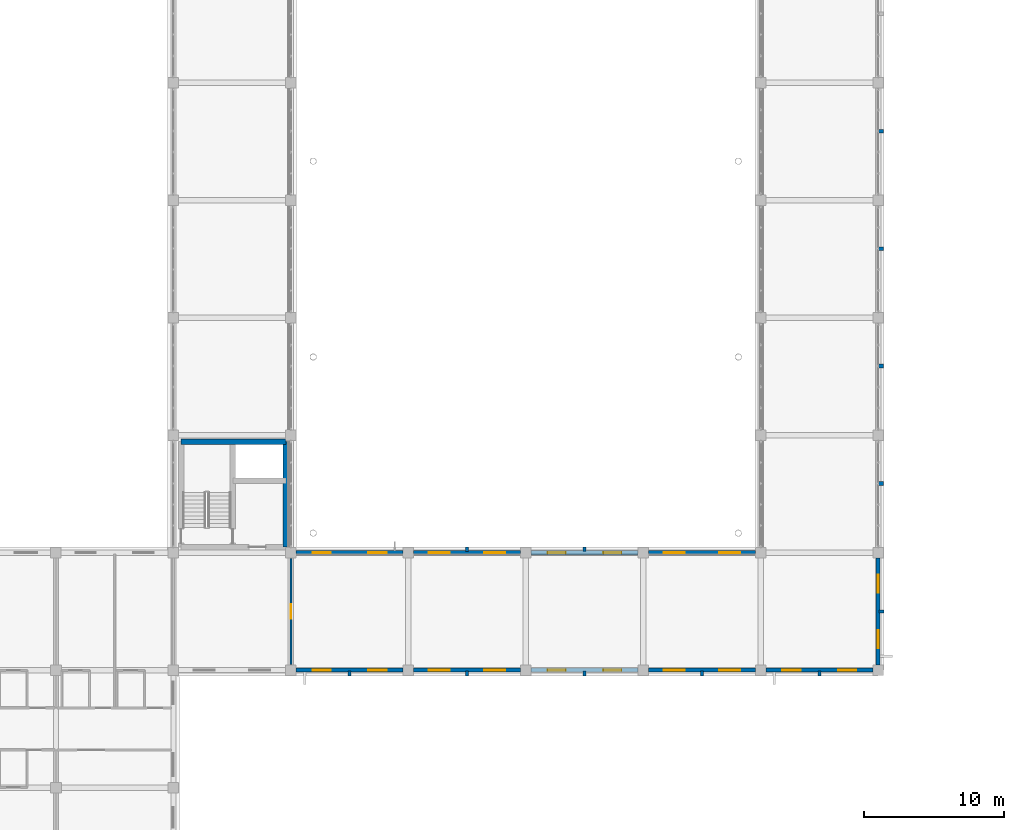
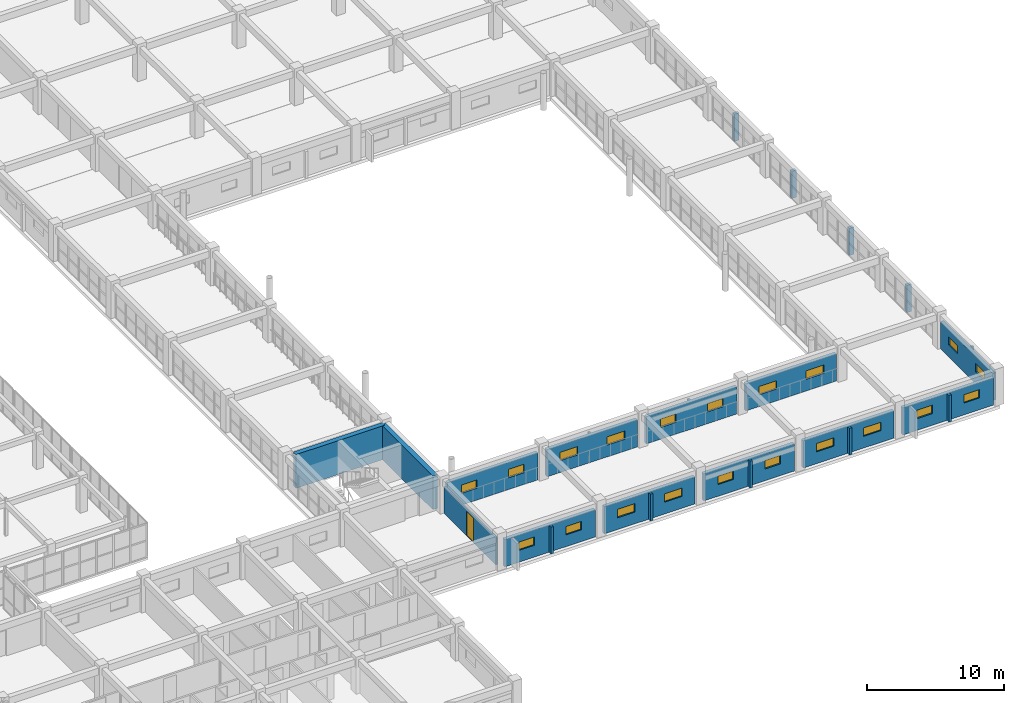
# One storey, part 182 of 200: 25 walls, 20 windows, 1 door, 21 openings.
"""IFC4 building model written with IfcOpenShell, lengths in metres."""

from ifc_helpers import new_model, si_unit, direction, frame, frame_2d, origin, place, context, subcontext, project, spatial, rectangle, extrude, material, layer, layer_set, type_object, element, fill, save


model = new_model("IFC4")

# Units and contexts
model_context = context("Model", 3, precision=1e-05, world=origin(), true_north=direction((0.0, 1.0)))
body_context = subcontext(model_context, "Body", "Model", "MODEL_VIEW")
ifc_project = project(units=[si_unit("LENGTHUNIT", "METRE"), si_unit("AREAUNIT", "SQUARE_METRE"), si_unit("VOLUMEUNIT", "CUBIC_METRE"), si_unit("PLANEANGLEUNIT", "RADIAN"), si_unit("MASSUNIT", "GRAM", prefix="KILO")], contexts=[model_context])

# Site, building, storey
site_placement = place(None, origin())
site = spatial("IfcSite", under=ifc_project, at=site_placement, CompositionType="ELEMENT")
building_placement = place(site_placement, origin())
building = spatial("IfcBuilding", under=site, at=building_placement, Name="Trelvath General Hospital", CompositionType="ELEMENT")
storey_placement = place(building_placement, frame((0.0, 0.0, 4.800048828125)))
storey = spatial("IfcBuildingStorey", under=building, at=storey_placement, Name="L01", CompositionType="ELEMENT", Elevation=4.800048828125)

# Walls
ifc_material_1 = material(Name="Precast concrete C40/50", Category="concrete")
ifc_layer_1 = layer(ifc_material_1, 0.199951171875)
ifc_layer_set_1 = layer_set([ifc_layer_1], Name="Precast concrete C40/50")
wall_type_1 = type_object("IfcWallType", Name="BriseSoleilRib 200", PredefinedType="ELEMENTEDWALL", material=ifc_layer_set_1)
for number, where, z_axis, x_axis, name in (
    (1, (147.0, 16.72509765625, 0.0), (0.0, 0.0, 1.0), (0.0, -1.0, 0.0), "Precast Concrete Brise-Soleil Rib Fin L01-133"),
    (2, (155.39990234375, 16.72509765625, 0.0), (0.0, 0.0, 1.0), (0.0, -1.0, 0.0), "Precast Concrete Brise-Soleil Rib Fin L01-135"),
    (3, (155.39990234375, 25.27490234375, 0.0), (0.0, 0.0, 1.0), (0.0, 1.0, 0.0), "Precast Concrete Brise-Soleil Rib Fin L01-136"),
    (4, (163.800048828125, 16.72509765625, 0.0), (0.0, 0.0, 1.0), (0.0, -1.0, 0.0), "Precast Concrete Brise-Soleil Rib Fin L01-139"),
    (5, (163.800048828125, 25.27490234375, 0.0), (0.0, 0.0, 1.0), (0.0, 1.0, 0.0), "Precast Concrete Brise-Soleil Rib Fin L01-140"),
    (6, (172.199951171875, 16.72509765625, 0.0), (0.0, 0.0, 1.0), (0.0, -1.0, 0.0), "Precast Concrete Brise-Soleil Rib Fin L01-143"),
    (7, (180.60009765625, 16.72509765625, 0.0), (0.0, 0.0, 1.0), (0.0, -1.0, 0.0), "Precast Concrete Brise-Soleil Rib Fin L01-145"),
    (8, (184.875, 21.0, 0.0), (0.0, 0.0, 1.0), (1.0, 0.0, 0.0), "Precast Concrete Brise-Soleil Rib Fin L01-146"),
):
    element("IfcWall", number, at=place(storey_placement, frame(where, z_axis=z_axis, x_axis=x_axis)), inside=storey, type_object=wall_type_1, Name=name, PredefinedType="ELEMENTEDWALL", context=body_context, shape_type="SweptSolid", body=[
        extrude(rectangle(XDim=0.340087890625, YDim=0.199951171875, at=frame_2d((0.169921875, 0.0))), origin(), (0.0, 0.0, 1.0), 2.39990234375),
    ])

# Wall, opening, door
ifc_material_2 = material(Name="Gypsum acoustic steel-stud partition", Category="steel")
ifc_layer_2 = layer(ifc_material_2, 0.14990234375)
ifc_layer_set_2 = layer_set([ifc_layer_2], Name="Gypsum acoustic steel-stud partition")
wall_type_2 = type_object("IfcWallType", Name="ClinicalPartition 150", PredefinedType="PARTITIONING", material=ifc_layer_set_2)
wall_1_placement = place(storey_placement, frame((142.800048828125, 17.199951171875, 0.0), z_axis=(0.0, 0.0, 1.0), x_axis=(0.0, 1.0, 0.0)))
wall_1 = element("IfcWall", 9, at=wall_1_placement, inside=storey, type_object=wall_type_2, Name="Comm Health L01 Partition L01-669", PredefinedType="PARTITIONING", context=body_context, shape_type="SweptSolid", body=[
    extrude(rectangle(XDim=7.60009765625, YDim=0.14990234375, at=frame_2d((3.800048828125, 0.0))), origin(), (0.0, 0.0, 1.0), 2.39990234375),
])
opening_1_placement = place(wall_1_placement, frame((3.27490234375, 0.0, 0.0)))
opening_1 = element("IfcOpeningElement", 10, at=opening_1_placement, cuts=wall_1, Name="Opening D-1-0619", PredefinedType="OPENING", context=body_context, shape_type="SweptSolid", body=[
    extrude(rectangle(XDim=1.050048828125, YDim=2.199951171875, at=frame_2d((0.52490234375, 1.10009765625))), frame((0.0, 0.0849609375, 0.0), z_axis=(0.0, -1.0, 0.0), x_axis=(1.0, 0.0, 0.0)), (0.0, 0.0, 1.0), 0.169921875),
])
ifc_material_3 = material(Name="Acoustic hospital timber leaf", Category="wood")
door_type = type_object("IfcDoorType", Name="Door Consult 1050x2200", OperationType="NOTDEFINED", PredefinedType="DOOR", material=ifc_material_3)
door_placement = place(opening_1_placement, origin())
door = element("IfcDoor", 11, at=door_placement, inside=storey, type_object=door_type, Name="Comm Health L01 Door L01-619", OperationType="SINGLE_SWING_LEFT", OverallHeight=2.199951171875, OverallWidth=1.050048828125, PredefinedType="DOOR", context=body_context, shape_type="SweptSolid", body=[
    extrude(rectangle(XDim=1.050048828125, YDim=2.199951171875, at=frame_2d((0.52490234375, 1.10009765625))), frame((0.0, 0.02490234375, 0.0), z_axis=(0.0, -1.0, 0.0), x_axis=(1.0, 0.0, 0.0)), (0.0, 0.0, 1.0), 0.050048828125),
])
fill(opening_1, door)

# Walls
ifc_material_4 = material(Name="Concrete C40/50", Category="concrete")
ifc_layer_3 = layer(ifc_material_4, 0.39990234375)
ifc_layer_set_3 = layer_set([ifc_layer_3], Name="Concrete C40/50")
wall_type_3 = type_object("IfcWallType", Name="CoreShearWall 400", PredefinedType="SHEAR", material=ifc_layer_set_3)
wall_2_placement = place(storey_placement, frame((134.949951171875, 33.14990234375, 0.0), z_axis=(0.0, 0.0, 1.0), x_axis=(1.0, 0.0, 0.0)))
element("IfcWall", 12, at=wall_2_placement, inside=storey, type_object=wall_type_3, Name="Core Shear Wall C7 N L01", PredefinedType="SHEAR", context=body_context, shape_type="SweptSolid", body=[
    extrude(rectangle(XDim=7.5, YDim=0.39990234375, at=frame_2d((3.75, 0.0))), origin(), (0.0, 0.0, 1.0), 3.02001953125),
])
wall_3_placement = place(storey_placement, frame((142.449951171875, 25.60009765625, 0.0), z_axis=(0.0, 0.0, 1.0), x_axis=(0.0, 1.0, 0.0)))
element("IfcWall", 13, at=wall_3_placement, inside=storey, type_object=wall_type_3, Name="Core Shear Wall C7 E L01", PredefinedType="SHEAR", context=body_context, shape_type="SweptSolid", body=[
    extrude(rectangle(XDim=7.5498046875, YDim=0.39990234375, at=frame_2d((3.77490234375, 0.0))), origin(), (0.0, 0.0, 1.0), 3.02001953125),
])

# Wall, openings, windows
ifc_material_5 = material(Name="Concrete C35/45", Category="concrete")
ifc_layer_4 = layer(ifc_material_5, 0.2900390625)
ifc_layer_set_4 = layer_set([ifc_layer_4], Name="Concrete C35/45")
wall_type_4 = type_object("IfcWallType", Name="ExtBushHammeredWall 290", PredefinedType="SOLIDWALL", material=ifc_layer_set_4)
wall_4_placement = place(storey_placement, frame((150.830078125, 16.800048828125, 0.0), z_axis=(0.0, 0.0, 1.0), x_axis=(-1.0, 0.0, 0.0)))
wall_4 = element("IfcWall", 14, at=wall_4_placement, inside=storey, type_object=wall_type_4, Name="Exterior Concrete Wall L01-195", PredefinedType="SOLIDWALL", context=body_context, shape_type="SweptSolid", body=[
    extrude(rectangle(XDim=7.66015625, YDim=0.2900390625, at=frame_2d((3.830078125, 0.0))), origin(), (0.0, 0.0, 1.0), 2.419921875),
])
opening_2_placement = place(wall_4_placement, frame((1.1884765625, 0.0, 1.050048828125)))
opening_2 = element("IfcOpeningElement", 15, at=opening_2_placement, cuts=wall_4, Name="Opening WN-1-291", PredefinedType="OPENING", context=body_context, shape_type="SweptSolid", body=[
    extrude(rectangle(XDim=1.300048828125, YDim=0.75, at=frame_2d((0.64990234375, 0.375))), frame((0.0, 0.155029296875, 0.0), z_axis=(0.0, -1.0, 0.0), x_axis=(1.0, 0.0, 0.0)), (0.0, 0.0, 1.0), 0.31005859375),
])
opening_3_placement = place(wall_4_placement, frame((5.171630859375, 0.0, 1.050048828125)))
opening_3 = element("IfcOpeningElement", 16, at=opening_3_placement, cuts=wall_4, Name="Opening WN-1-292", PredefinedType="OPENING", context=body_context, shape_type="SweptSolid", body=[
    extrude(rectangle(XDim=1.300048828125, YDim=0.75, at=frame_2d((0.64990234375, 0.375))), frame((0.0, 0.155029296875, 0.0), z_axis=(0.0, -1.0, 0.0), x_axis=(1.0, 0.0, 0.0)), (0.0, 0.0, 1.0), 0.31005859375),
])
ifc_material_6 = material(Name="Low-E laminated glass", Category="glass")
window_type_1 = type_object("IfcWindowType", Name="Window InterstitialVent 1300x750", PartitioningType="DOUBLE_PANEL_HORIZONTAL", PredefinedType="WINDOW", material=ifc_material_6)
window_1_placement = place(opening_2_placement, origin())
window_1 = element("IfcWindow", 17, at=window_1_placement, inside=storey, type_object=window_type_1, Name="Solar Reveal Window L01-291", OverallHeight=0.75, OverallWidth=1.300048828125, PartitioningType="SINGLE_PANEL", PredefinedType="WINDOW", context=body_context, shape_type="SweptSolid", body=[
    extrude(rectangle(XDim=1.300048828125, YDim=0.75, at=frame_2d((0.64990234375, 0.375))), frame((0.0, 0.030029296875, 0.0), z_axis=(0.0, -1.0, 0.0), x_axis=(1.0, 0.0, 0.0)), (0.0, 0.0, 1.0), 0.06005859375),
])
fill(opening_2, window_1)
window_2_placement = place(opening_3_placement, origin())
window_2 = element("IfcWindow", 18, at=window_2_placement, inside=storey, type_object=window_type_1, Name="Solar Reveal Window L01-292", OverallHeight=0.75, OverallWidth=1.300048828125, PartitioningType="SINGLE_PANEL", PredefinedType="WINDOW", context=body_context, shape_type="SweptSolid", body=[
    extrude(rectangle(XDim=1.300048828125, YDim=0.75, at=frame_2d((0.64990234375, 0.375))), frame((0.0, 0.030029296875, 0.0), z_axis=(0.0, -1.0, 0.0), x_axis=(1.0, 0.0, 0.0)), (0.0, 0.0, 1.0), 0.06005859375),
])
fill(opening_3, window_2)

wall_5_placement = place(storey_placement, frame((143.169921875, 25.199951171875, 0.0), z_axis=(0.0, 0.0, 1.0), x_axis=(1.0, 0.0, 0.0)))
wall_5 = element("IfcWall", 19, at=wall_5_placement, inside=storey, type_object=wall_type_4, Name="Exterior Concrete Wall L01-196", PredefinedType="SOLIDWALL", context=body_context, shape_type="SweptSolid", body=[
    extrude(rectangle(XDim=7.66015625, YDim=0.2900390625, at=frame_2d((3.830078125, 0.0))), origin(), (0.0, 0.0, 1.0), 2.419921875),
])
opening_4_placement = place(wall_5_placement, frame((1.1884765625, 0.0, 1.050048828125)))
opening_4 = element("IfcOpeningElement", 20, at=opening_4_placement, cuts=wall_5, Name="Opening WN-1-293", PredefinedType="OPENING", context=body_context, shape_type="SweptSolid", body=[
    extrude(rectangle(XDim=1.300048828125, YDim=0.75, at=frame_2d((0.64990234375, 0.375))), frame((0.0, 0.155029296875, 0.0), z_axis=(0.0, -1.0, 0.0), x_axis=(1.0, 0.0, 0.0)), (0.0, 0.0, 1.0), 0.31005859375),
])
opening_5_placement = place(wall_5_placement, frame((5.171630859375, 0.0, 1.050048828125)))
opening_5 = element("IfcOpeningElement", 21, at=opening_5_placement, cuts=wall_5, Name="Opening WN-1-294", PredefinedType="OPENING", context=body_context, shape_type="SweptSolid", body=[
    extrude(rectangle(XDim=1.300048828125, YDim=0.75, at=frame_2d((0.64990234375, 0.375))), frame((0.0, 0.155029296875, 0.0), z_axis=(0.0, -1.0, 0.0), x_axis=(1.0, 0.0, 0.0)), (0.0, 0.0, 1.0), 0.31005859375),
])
window_3_placement = place(opening_4_placement, origin())
window_3 = element("IfcWindow", 22, at=window_3_placement, inside=storey, type_object=window_type_1, Name="Solar Reveal Window L01-293", OverallHeight=0.75, OverallWidth=1.300048828125, PartitioningType="SINGLE_PANEL", PredefinedType="WINDOW", context=body_context, shape_type="SweptSolid", body=[
    extrude(rectangle(XDim=1.300048828125, YDim=0.75, at=frame_2d((0.64990234375, 0.375))), frame((0.0, 0.030029296875, 0.0), z_axis=(0.0, -1.0, 0.0), x_axis=(1.0, 0.0, 0.0)), (0.0, 0.0, 1.0), 0.06005859375),
])
fill(opening_4, window_3)
window_4_placement = place(opening_5_placement, origin())
window_4 = element("IfcWindow", 23, at=window_4_placement, inside=storey, type_object=window_type_1, Name="Solar Reveal Window L01-294", OverallHeight=0.75, OverallWidth=1.300048828125, PartitioningType="SINGLE_PANEL", PredefinedType="WINDOW", context=body_context, shape_type="SweptSolid", body=[
    extrude(rectangle(XDim=1.300048828125, YDim=0.75, at=frame_2d((0.64990234375, 0.375))), frame((0.0, 0.030029296875, 0.0), z_axis=(0.0, -1.0, 0.0), x_axis=(1.0, 0.0, 0.0)), (0.0, 0.0, 1.0), 0.06005859375),
])
fill(opening_5, window_4)

wall_6_placement = place(storey_placement, frame((159.22998046875, 16.800048828125, 0.0), z_axis=(0.0, 0.0, 1.0), x_axis=(-1.0, 0.0, 0.0)))
wall_6 = element("IfcWall", 24, at=wall_6_placement, inside=storey, type_object=wall_type_4, Name="Exterior Concrete Wall L01-199", PredefinedType="SOLIDWALL", context=body_context, shape_type="SweptSolid", body=[
    extrude(rectangle(XDim=7.659912109375, YDim=0.2900390625, at=frame_2d((3.830078125, 0.0))), origin(), (0.0, 0.0, 1.0), 2.419921875),
])
opening_6_placement = place(wall_6_placement, frame((1.08837890625, 0.0, 1.050048828125)))
opening_6 = element("IfcOpeningElement", 25, at=opening_6_placement, cuts=wall_6, Name="Opening WN-1-299", PredefinedType="OPENING", context=body_context, shape_type="SweptSolid", body=[
    extrude(rectangle(XDim=1.5, YDim=0.75, at=frame_2d((0.75, 0.375))), frame((0.0, 0.155029296875, 0.0), z_axis=(0.0, -1.0, 0.0), x_axis=(1.0, 0.0, 0.0)), (0.0, 0.0, 1.0), 0.31005859375),
])
opening_7_placement = place(wall_6_placement, frame((5.071533203125, 0.0, 1.050048828125)))
opening_7 = element("IfcOpeningElement", 26, at=opening_7_placement, cuts=wall_6, Name="Opening WN-1-300", PredefinedType="OPENING", context=body_context, shape_type="SweptSolid", body=[
    extrude(rectangle(XDim=1.5, YDim=0.75, at=frame_2d((0.75, 0.375))), frame((0.0, 0.155029296875, 0.0), z_axis=(0.0, -1.0, 0.0), x_axis=(1.0, 0.0, 0.0)), (0.0, 0.0, 1.0), 0.31005859375),
])
ifc_material_7 = material(Name="Low-E laminated glass", Category="glass")
window_type_2 = type_object("IfcWindowType", Name="Window InterstitialVent 1500x750", PartitioningType="DOUBLE_PANEL_HORIZONTAL", PredefinedType="WINDOW", material=ifc_material_7)
window_5_placement = place(opening_6_placement, origin())
window_5 = element("IfcWindow", 27, at=window_5_placement, inside=storey, type_object=window_type_2, Name="Solar Reveal Window L01-299", OverallHeight=0.75, OverallWidth=1.5, PartitioningType="SINGLE_PANEL", PredefinedType="WINDOW", context=body_context, shape_type="SweptSolid", body=[
    extrude(rectangle(XDim=1.5, YDim=0.75, at=frame_2d((0.75, 0.375))), frame((0.0, 0.030029296875, 0.0), z_axis=(0.0, -1.0, 0.0), x_axis=(1.0, 0.0, 0.0)), (0.0, 0.0, 1.0), 0.06005859375),
])
fill(opening_6, window_5)
window_6_placement = place(opening_7_placement, origin())
window_6 = element("IfcWindow", 28, at=window_6_placement, inside=storey, type_object=window_type_2, Name="Solar Reveal Window L01-300", OverallHeight=0.75, OverallWidth=1.5, PartitioningType="SINGLE_PANEL", PredefinedType="WINDOW", context=body_context, shape_type="SweptSolid", body=[
    extrude(rectangle(XDim=1.5, YDim=0.75, at=frame_2d((0.75, 0.375))), frame((0.0, 0.030029296875, 0.0), z_axis=(0.0, -1.0, 0.0), x_axis=(1.0, 0.0, 0.0)), (0.0, 0.0, 1.0), 0.06005859375),
])
fill(opening_7, window_6)

wall_7_placement = place(storey_placement, frame((151.570068359375, 25.199951171875, 0.0), z_axis=(0.0, 0.0, 1.0), x_axis=(1.0, 0.0, 0.0)))
wall_7 = element("IfcWall", 29, at=wall_7_placement, inside=storey, type_object=wall_type_4, Name="Exterior Concrete Wall L01-200", PredefinedType="SOLIDWALL", context=body_context, shape_type="SweptSolid", body=[
    extrude(rectangle(XDim=7.659912109375, YDim=0.2900390625, at=frame_2d((3.830078125, 0.0))), origin(), (0.0, 0.0, 1.0), 2.419921875),
])
opening_8_placement = place(wall_7_placement, frame((1.08837890625, 0.0, 1.050048828125)))
opening_8 = element("IfcOpeningElement", 30, at=opening_8_placement, cuts=wall_7, Name="Opening WN-1-301", PredefinedType="OPENING", context=body_context, shape_type="SweptSolid", body=[
    extrude(rectangle(XDim=1.5, YDim=0.75, at=frame_2d((0.75, 0.375))), frame((0.0, 0.155029296875, 0.0), z_axis=(0.0, -1.0, 0.0), x_axis=(1.0, 0.0, 0.0)), (0.0, 0.0, 1.0), 0.31005859375),
])
opening_9_placement = place(wall_7_placement, frame((5.071533203125, 0.0, 1.050048828125)))
opening_9 = element("IfcOpeningElement", 31, at=opening_9_placement, cuts=wall_7, Name="Opening WN-1-302", PredefinedType="OPENING", context=body_context, shape_type="SweptSolid", body=[
    extrude(rectangle(XDim=1.5, YDim=0.75, at=frame_2d((0.75, 0.375))), frame((0.0, 0.155029296875, 0.0), z_axis=(0.0, -1.0, 0.0), x_axis=(1.0, 0.0, 0.0)), (0.0, 0.0, 1.0), 0.31005859375),
])
window_7_placement = place(opening_8_placement, origin())
window_7 = element("IfcWindow", 32, at=window_7_placement, inside=storey, type_object=window_type_2, Name="Solar Reveal Window L01-301", OverallHeight=0.75, OverallWidth=1.5, PartitioningType="SINGLE_PANEL", PredefinedType="WINDOW", context=body_context, shape_type="SweptSolid", body=[
    extrude(rectangle(XDim=1.5, YDim=0.75, at=frame_2d((0.75, 0.375))), frame((0.0, 0.030029296875, 0.0), z_axis=(0.0, -1.0, 0.0), x_axis=(1.0, 0.0, 0.0)), (0.0, 0.0, 1.0), 0.06005859375),
])
fill(opening_8, window_7)
window_8_placement = place(opening_9_placement, origin())
window_8 = element("IfcWindow", 33, at=window_8_placement, inside=storey, type_object=window_type_2, Name="Solar Reveal Window L01-302", OverallHeight=0.75, OverallWidth=1.5, PartitioningType="SINGLE_PANEL", PredefinedType="WINDOW", context=body_context, shape_type="SweptSolid", body=[
    extrude(rectangle(XDim=1.5, YDim=0.75, at=frame_2d((0.75, 0.375))), frame((0.0, 0.030029296875, 0.0), z_axis=(0.0, -1.0, 0.0), x_axis=(1.0, 0.0, 0.0)), (0.0, 0.0, 1.0), 0.06005859375),
])
fill(opening_9, window_8)

wall_8_placement = place(storey_placement, frame((167.6298828125, 16.800048828125, 0.0), z_axis=(0.0, 0.0, 1.0), x_axis=(-1.0, 0.0, 0.0)))
wall_8 = element("IfcWall", 34, at=wall_8_placement, inside=storey, type_object=wall_type_4, Name="Exterior Concrete Wall L01-203", PredefinedType="SOLIDWALL", context=body_context, shape_type="SweptSolid", body=[
    extrude(rectangle(XDim=7.659912109375, YDim=0.2900390625, at=frame_2d((3.830078125, 0.0))), origin(), (0.0, 0.0, 1.0), 2.419921875),
])
opening_10_placement = place(wall_8_placement, frame((1.1884765625, 0.0, 1.050048828125)))
opening_10 = element("IfcOpeningElement", 35, at=opening_10_placement, cuts=wall_8, Name="Opening WN-1-307", PredefinedType="OPENING", context=body_context, shape_type="SweptSolid", body=[
    extrude(rectangle(XDim=1.300048828125, YDim=0.75, at=frame_2d((0.64990234375, 0.375))), frame((0.0, 0.155029296875, 0.0), z_axis=(0.0, -1.0, 0.0), x_axis=(1.0, 0.0, 0.0)), (0.0, 0.0, 1.0), 0.31005859375),
])
opening_11_placement = place(wall_8_placement, frame((5.171630859375, 0.0, 1.050048828125)))
opening_11 = element("IfcOpeningElement", 36, at=opening_11_placement, cuts=wall_8, Name="Opening WN-1-308", PredefinedType="OPENING", context=body_context, shape_type="SweptSolid", body=[
    extrude(rectangle(XDim=1.300048828125, YDim=0.75, at=frame_2d((0.64990234375, 0.375))), frame((0.0, 0.155029296875, 0.0), z_axis=(0.0, -1.0, 0.0), x_axis=(1.0, 0.0, 0.0)), (0.0, 0.0, 1.0), 0.31005859375),
])
window_9_placement = place(opening_10_placement, origin())
window_9 = element("IfcWindow", 37, at=window_9_placement, inside=storey, type_object=window_type_1, Name="Solar Reveal Window L01-307", OverallHeight=0.75, OverallWidth=1.300048828125, PartitioningType="SINGLE_PANEL", PredefinedType="WINDOW", context=body_context, shape_type="SweptSolid", body=[
    extrude(rectangle(XDim=1.300048828125, YDim=0.75, at=frame_2d((0.64990234375, 0.375))), frame((0.0, 0.030029296875, 0.0), z_axis=(0.0, -1.0, 0.0), x_axis=(1.0, 0.0, 0.0)), (0.0, 0.0, 1.0), 0.06005859375),
])
fill(opening_10, window_9)
window_10_placement = place(opening_11_placement, origin())
window_10 = element("IfcWindow", 38, at=window_10_placement, inside=storey, type_object=window_type_1, Name="Solar Reveal Window L01-308", OverallHeight=0.75, OverallWidth=1.300048828125, PartitioningType="SINGLE_PANEL", PredefinedType="WINDOW", context=body_context, shape_type="SweptSolid", body=[
    extrude(rectangle(XDim=1.300048828125, YDim=0.75, at=frame_2d((0.64990234375, 0.375))), frame((0.0, 0.030029296875, 0.0), z_axis=(0.0, -1.0, 0.0), x_axis=(1.0, 0.0, 0.0)), (0.0, 0.0, 1.0), 0.06005859375),
])
fill(opening_11, window_10)

wall_9_placement = place(storey_placement, frame((159.969970703125, 25.199951171875, 0.0), z_axis=(0.0, 0.0, 1.0), x_axis=(1.0, 0.0, 0.0)))
wall_9 = element("IfcWall", 39, at=wall_9_placement, inside=storey, type_object=wall_type_4, Name="Exterior Concrete Wall L01-204", PredefinedType="SOLIDWALL", context=body_context, shape_type="SweptSolid", body=[
    extrude(rectangle(XDim=7.659912109375, YDim=0.2900390625, at=frame_2d((3.830078125, 0.0))), origin(), (0.0, 0.0, 1.0), 2.419921875),
])
opening_12_placement = place(wall_9_placement, frame((1.1884765625, 0.0, 1.050048828125)))
opening_12 = element("IfcOpeningElement", 40, at=opening_12_placement, cuts=wall_9, Name="Opening WN-1-309", PredefinedType="OPENING", context=body_context, shape_type="SweptSolid", body=[
    extrude(rectangle(XDim=1.300048828125, YDim=0.75, at=frame_2d((0.64990234375, 0.375))), frame((0.0, 0.155029296875, 0.0), z_axis=(0.0, -1.0, 0.0), x_axis=(1.0, 0.0, 0.0)), (0.0, 0.0, 1.0), 0.31005859375),
])
opening_13_placement = place(wall_9_placement, frame((5.171630859375, 0.0, 1.050048828125)))
opening_13 = element("IfcOpeningElement", 41, at=opening_13_placement, cuts=wall_9, Name="Opening WN-1-310", PredefinedType="OPENING", context=body_context, shape_type="SweptSolid", body=[
    extrude(rectangle(XDim=1.300048828125, YDim=0.75, at=frame_2d((0.64990234375, 0.375))), frame((0.0, 0.155029296875, 0.0), z_axis=(0.0, -1.0, 0.0), x_axis=(1.0, 0.0, 0.0)), (0.0, 0.0, 1.0), 0.31005859375),
])
window_11_placement = place(opening_12_placement, origin())
window_11 = element("IfcWindow", 42, at=window_11_placement, inside=storey, type_object=window_type_1, Name="Solar Reveal Window L01-309", OverallHeight=0.75, OverallWidth=1.300048828125, PartitioningType="SINGLE_PANEL", PredefinedType="WINDOW", context=body_context, shape_type="SweptSolid", body=[
    extrude(rectangle(XDim=1.300048828125, YDim=0.75, at=frame_2d((0.64990234375, 0.375))), frame((0.0, 0.030029296875, 0.0), z_axis=(0.0, -1.0, 0.0), x_axis=(1.0, 0.0, 0.0)), (0.0, 0.0, 1.0), 0.06005859375),
])
fill(opening_12, window_11)
window_12_placement = place(opening_13_placement, origin())
window_12 = element("IfcWindow", 43, at=window_12_placement, inside=storey, type_object=window_type_1, Name="Solar Reveal Window L01-310", OverallHeight=0.75, OverallWidth=1.300048828125, PartitioningType="SINGLE_PANEL", PredefinedType="WINDOW", context=body_context, shape_type="SweptSolid", body=[
    extrude(rectangle(XDim=1.300048828125, YDim=0.75, at=frame_2d((0.64990234375, 0.375))), frame((0.0, 0.030029296875, 0.0), z_axis=(0.0, -1.0, 0.0), x_axis=(1.0, 0.0, 0.0)), (0.0, 0.0, 1.0), 0.06005859375),
])
fill(opening_13, window_12)

wall_10_placement = place(storey_placement, frame((176.030029296875, 16.800048828125, 0.0), z_axis=(0.0, 0.0, 1.0), x_axis=(-1.0, 0.0, 0.0)))
wall_10 = element("IfcWall", 44, at=wall_10_placement, inside=storey, type_object=wall_type_4, Name="Exterior Concrete Wall L01-207", PredefinedType="SOLIDWALL", context=body_context, shape_type="SweptSolid", body=[
    extrude(rectangle(XDim=7.659912109375, YDim=0.2900390625, at=frame_2d((3.830078125, 0.0))), origin(), (0.0, 0.0, 1.0), 2.419921875),
])
opening_14_placement = place(wall_10_placement, frame((1.08837890625, 0.0, 1.050048828125)))
opening_14 = element("IfcOpeningElement", 45, at=opening_14_placement, cuts=wall_10, Name="Opening WN-1-315", PredefinedType="OPENING", context=body_context, shape_type="SweptSolid", body=[
    extrude(rectangle(XDim=1.5, YDim=0.75, at=frame_2d((0.75, 0.375))), frame((0.0, 0.155029296875, 0.0), z_axis=(0.0, -1.0, 0.0), x_axis=(1.0, 0.0, 0.0)), (0.0, 0.0, 1.0), 0.31005859375),
])
opening_15_placement = place(wall_10_placement, frame((5.071533203125, 0.0, 1.050048828125)))
opening_15 = element("IfcOpeningElement", 46, at=opening_15_placement, cuts=wall_10, Name="Opening WN-1-316", PredefinedType="OPENING", context=body_context, shape_type="SweptSolid", body=[
    extrude(rectangle(XDim=1.5, YDim=0.75, at=frame_2d((0.75, 0.375))), frame((0.0, 0.155029296875, 0.0), z_axis=(0.0, -1.0, 0.0), x_axis=(1.0, 0.0, 0.0)), (0.0, 0.0, 1.0), 0.31005859375),
])
window_13_placement = place(opening_14_placement, origin())
window_13 = element("IfcWindow", 47, at=window_13_placement, inside=storey, type_object=window_type_2, Name="Solar Reveal Window L01-315", OverallHeight=0.75, OverallWidth=1.5, PartitioningType="SINGLE_PANEL", PredefinedType="WINDOW", context=body_context, shape_type="SweptSolid", body=[
    extrude(rectangle(XDim=1.5, YDim=0.75, at=frame_2d((0.75, 0.375))), frame((0.0, 0.030029296875, 0.0), z_axis=(0.0, -1.0, 0.0), x_axis=(1.0, 0.0, 0.0)), (0.0, 0.0, 1.0), 0.06005859375),
])
fill(opening_14, window_13)
window_14_placement = place(opening_15_placement, origin())
window_14 = element("IfcWindow", 48, at=window_14_placement, inside=storey, type_object=window_type_2, Name="Solar Reveal Window L01-316", OverallHeight=0.75, OverallWidth=1.5, PartitioningType="SINGLE_PANEL", PredefinedType="WINDOW", context=body_context, shape_type="SweptSolid", body=[
    extrude(rectangle(XDim=1.5, YDim=0.75, at=frame_2d((0.75, 0.375))), frame((0.0, 0.030029296875, 0.0), z_axis=(0.0, -1.0, 0.0), x_axis=(1.0, 0.0, 0.0)), (0.0, 0.0, 1.0), 0.06005859375),
])
fill(opening_15, window_14)

wall_11_placement = place(storey_placement, frame((168.3701171875, 25.199951171875, 0.0), z_axis=(0.0, 0.0, 1.0), x_axis=(1.0, 0.0, 0.0)))
wall_11 = element("IfcWall", 49, at=wall_11_placement, inside=storey, type_object=wall_type_4, Name="Exterior Concrete Wall L01-208", PredefinedType="SOLIDWALL", context=body_context, shape_type="SweptSolid", body=[
    extrude(rectangle(XDim=7.659912109375, YDim=0.2900390625, at=frame_2d((3.830078125, 0.0))), origin(), (0.0, 0.0, 1.0), 2.419921875),
])
opening_16_placement = place(wall_11_placement, frame((1.08837890625, 0.0, 1.050048828125)))
opening_16 = element("IfcOpeningElement", 50, at=opening_16_placement, cuts=wall_11, Name="Opening WN-1-317", PredefinedType="OPENING", context=body_context, shape_type="SweptSolid", body=[
    extrude(rectangle(XDim=1.5, YDim=0.75, at=frame_2d((0.75, 0.375))), frame((0.0, 0.155029296875, 0.0), z_axis=(0.0, -1.0, 0.0), x_axis=(1.0, 0.0, 0.0)), (0.0, 0.0, 1.0), 0.31005859375),
])
opening_17_placement = place(wall_11_placement, frame((5.071533203125, 0.0, 1.050048828125)))
opening_17 = element("IfcOpeningElement", 51, at=opening_17_placement, cuts=wall_11, Name="Opening WN-1-318", PredefinedType="OPENING", context=body_context, shape_type="SweptSolid", body=[
    extrude(rectangle(XDim=1.5, YDim=0.75, at=frame_2d((0.75, 0.375))), frame((0.0, 0.155029296875, 0.0), z_axis=(0.0, -1.0, 0.0), x_axis=(1.0, 0.0, 0.0)), (0.0, 0.0, 1.0), 0.31005859375),
])
window_15_placement = place(opening_16_placement, origin())
window_15 = element("IfcWindow", 52, at=window_15_placement, inside=storey, type_object=window_type_2, Name="Solar Reveal Window L01-317", OverallHeight=0.75, OverallWidth=1.5, PartitioningType="SINGLE_PANEL", PredefinedType="WINDOW", context=body_context, shape_type="SweptSolid", body=[
    extrude(rectangle(XDim=1.5, YDim=0.75, at=frame_2d((0.75, 0.375))), frame((0.0, 0.030029296875, 0.0), z_axis=(0.0, -1.0, 0.0), x_axis=(1.0, 0.0, 0.0)), (0.0, 0.0, 1.0), 0.06005859375),
])
fill(opening_16, window_15)
window_16_placement = place(opening_17_placement, origin())
window_16 = element("IfcWindow", 53, at=window_16_placement, inside=storey, type_object=window_type_2, Name="Solar Reveal Window L01-318", OverallHeight=0.75, OverallWidth=1.5, PartitioningType="SINGLE_PANEL", PredefinedType="WINDOW", context=body_context, shape_type="SweptSolid", body=[
    extrude(rectangle(XDim=1.5, YDim=0.75, at=frame_2d((0.75, 0.375))), frame((0.0, 0.030029296875, 0.0), z_axis=(0.0, -1.0, 0.0), x_axis=(1.0, 0.0, 0.0)), (0.0, 0.0, 1.0), 0.06005859375),
])
fill(opening_17, window_16)

wall_12_placement = place(storey_placement, frame((184.429931640625, 16.800048828125, 0.0), z_axis=(0.0, 0.0, 1.0), x_axis=(-1.0, 0.0, 0.0)))
wall_12 = element("IfcWall", 54, at=wall_12_placement, inside=storey, type_object=wall_type_4, Name="Exterior Concrete Wall L01-211", PredefinedType="SOLIDWALL", context=body_context, shape_type="SweptSolid", body=[
    extrude(rectangle(XDim=7.659912109375, YDim=0.2900390625, at=frame_2d((3.830078125, 0.0))), origin(), (0.0, 0.0, 1.0), 2.419921875),
])
opening_18_placement = place(wall_12_placement, frame((1.1884765625, 0.0, 1.050048828125)))
opening_18 = element("IfcOpeningElement", 55, at=opening_18_placement, cuts=wall_12, Name="Opening WN-1-323", PredefinedType="OPENING", context=body_context, shape_type="SweptSolid", body=[
    extrude(rectangle(XDim=1.300048828125, YDim=0.75, at=frame_2d((0.64990234375, 0.375))), frame((0.0, 0.155029296875, 0.0), z_axis=(0.0, -1.0, 0.0), x_axis=(1.0, 0.0, 0.0)), (0.0, 0.0, 1.0), 0.31005859375),
])
opening_19_placement = place(wall_12_placement, frame((5.171630859375, 0.0, 1.050048828125)))
opening_19 = element("IfcOpeningElement", 56, at=opening_19_placement, cuts=wall_12, Name="Opening WN-1-324", PredefinedType="OPENING", context=body_context, shape_type="SweptSolid", body=[
    extrude(rectangle(XDim=1.300048828125, YDim=0.75, at=frame_2d((0.64990234375, 0.375))), frame((0.0, 0.155029296875, 0.0), z_axis=(0.0, -1.0, 0.0), x_axis=(1.0, 0.0, 0.0)), (0.0, 0.0, 1.0), 0.31005859375),
])
window_17_placement = place(opening_18_placement, origin())
window_17 = element("IfcWindow", 57, at=window_17_placement, inside=storey, type_object=window_type_1, Name="Solar Reveal Window L01-323", OverallHeight=0.75, OverallWidth=1.300048828125, PartitioningType="SINGLE_PANEL", PredefinedType="WINDOW", context=body_context, shape_type="SweptSolid", body=[
    extrude(rectangle(XDim=1.300048828125, YDim=0.75, at=frame_2d((0.64990234375, 0.375))), frame((0.0, 0.030029296875, 0.0), z_axis=(0.0, -1.0, 0.0), x_axis=(1.0, 0.0, 0.0)), (0.0, 0.0, 1.0), 0.06005859375),
])
fill(opening_18, window_17)
window_18_placement = place(opening_19_placement, origin())
window_18 = element("IfcWindow", 58, at=window_18_placement, inside=storey, type_object=window_type_1, Name="Solar Reveal Window L01-324", OverallHeight=0.75, OverallWidth=1.300048828125, PartitioningType="SINGLE_PANEL", PredefinedType="WINDOW", context=body_context, shape_type="SweptSolid", body=[
    extrude(rectangle(XDim=1.300048828125, YDim=0.75, at=frame_2d((0.64990234375, 0.375))), frame((0.0, 0.030029296875, 0.0), z_axis=(0.0, -1.0, 0.0), x_axis=(1.0, 0.0, 0.0)), (0.0, 0.0, 1.0), 0.06005859375),
])
fill(opening_19, window_18)

wall_13_placement = place(storey_placement, frame((184.800048828125, 24.830078125, 0.0), z_axis=(0.0, 0.0, 1.0), x_axis=(0.0, -1.0, 0.0)))
wall_13 = element("IfcWall", 59, at=wall_13_placement, inside=storey, type_object=wall_type_4, Name="Exterior Concrete Wall L01-212", PredefinedType="SOLIDWALL", context=body_context, shape_type="SweptSolid", body=[
    extrude(rectangle(XDim=7.66015625, YDim=0.2900390625, at=frame_2d((3.830078125, 0.0))), origin(), (0.0, 0.0, 1.0), 2.419921875),
])
opening_20_placement = place(wall_13_placement, frame((1.1884765625, 0.0, 1.050048828125)))
opening_20 = element("IfcOpeningElement", 60, at=opening_20_placement, cuts=wall_13, Name="Opening WN-1-325", PredefinedType="OPENING", context=body_context, shape_type="SweptSolid", body=[
    extrude(rectangle(XDim=1.300048828125, YDim=0.75, at=frame_2d((0.64990234375, 0.375))), frame((0.0, 0.155029296875, 0.0), z_axis=(0.0, -1.0, 0.0), x_axis=(1.0, 0.0, 0.0)), (0.0, 0.0, 1.0), 0.31005859375),
])
opening_21_placement = place(wall_13_placement, frame((5.171630859375, 0.0, 1.050048828125)))
opening_21 = element("IfcOpeningElement", 61, at=opening_21_placement, cuts=wall_13, Name="Opening WN-1-326", PredefinedType="OPENING", context=body_context, shape_type="SweptSolid", body=[
    extrude(rectangle(XDim=1.300048828125, YDim=0.75, at=frame_2d((0.64990234375, 0.375))), frame((0.0, 0.155029296875, 0.0), z_axis=(0.0, -1.0, 0.0), x_axis=(1.0, 0.0, 0.0)), (0.0, 0.0, 1.0), 0.31005859375),
])
window_19_placement = place(opening_20_placement, origin())
window_19 = element("IfcWindow", 62, at=window_19_placement, inside=storey, type_object=window_type_1, Name="Solar Reveal Window L01-325", OverallHeight=0.75, OverallWidth=1.300048828125, PartitioningType="SINGLE_PANEL", PredefinedType="WINDOW", context=body_context, shape_type="SweptSolid", body=[
    extrude(rectangle(XDim=1.300048828125, YDim=0.75, at=frame_2d((0.64990234375, 0.375))), frame((0.0, 0.030029296875, 0.0), z_axis=(0.0, -1.0, 0.0), x_axis=(1.0, 0.0, 0.0)), (0.0, 0.0, 1.0), 0.06005859375),
])
fill(opening_20, window_19)
window_20_placement = place(opening_21_placement, origin())
window_20 = element("IfcWindow", 63, at=window_20_placement, inside=storey, type_object=window_type_1, Name="Solar Reveal Window L01-326", OverallHeight=0.75, OverallWidth=1.300048828125, PartitioningType="SINGLE_PANEL", PredefinedType="WINDOW", context=body_context, shape_type="SweptSolid", body=[
    extrude(rectangle(XDim=1.300048828125, YDim=0.75, at=frame_2d((0.64990234375, 0.375))), frame((0.0, 0.030029296875, 0.0), z_axis=(0.0, -1.0, 0.0), x_axis=(1.0, 0.0, 0.0)), (0.0, 0.0, 1.0), 0.06005859375),
])
fill(opening_21, window_20)

# Walls
ifc_material_8 = material(Name="Precast concrete C40/50", Category="concrete")
ifc_layer_5 = layer(ifc_material_8, 0.260009765625)
ifc_layer_set_5 = layer_set([ifc_layer_5], Name="Precast concrete C40/50")
wall_type_5 = type_object("IfcWallType", Name="StreetArcadeFin 260", PredefinedType="ELEMENTEDWALL", material=ifc_layer_set_5)
for number, where, z_axis, x_axis, name in (
    (64, (184.820068359375, 30.14990234375, 0.0), (0.0, 0.0, 1.0), (1.0, 0.0, 0.0), "Sculpted Concrete Street Arcade Fin L01-147"),
    (65, (184.820068359375, 38.550048828125, 0.0), (0.0, 0.0, 1.0), (1.0, 0.0, 0.0), "Sculpted Concrete Street Arcade Fin L01-148"),
    (66, (184.820068359375, 46.949951171875, 0.0), (0.0, 0.0, 1.0), (1.0, 0.0, 0.0), "Sculpted Concrete Street Arcade Fin L01-149"),
    (67, (184.820068359375, 55.35009765625, 0.0), (0.0, 0.0, 1.0), (1.0, 0.0, 0.0), "Sculpted Concrete Street Arcade Fin L01-150"),
):
    element("IfcWall", number, at=place(storey_placement, frame(where, z_axis=z_axis, x_axis=x_axis)), inside=storey, type_object=wall_type_5, Name=name, PredefinedType="ELEMENTEDWALL", context=body_context, shape_type="SweptSolid", body=[
        extrude(rectangle(XDim=0.3798828125, YDim=0.260009765625, at=frame_2d((0.18994140625, 0.0))), origin(), (0.0, 0.0, 1.0), 2.419921875),
    ])

save(model, "model.ifc")
